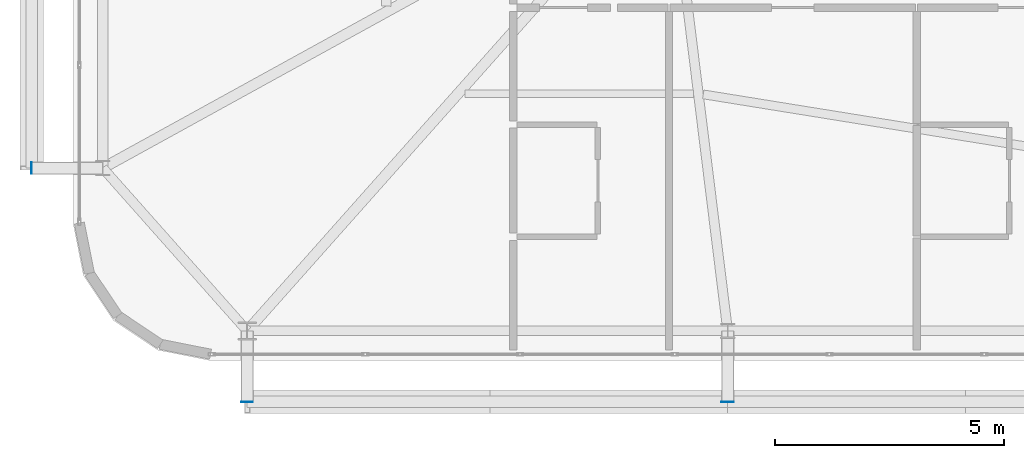
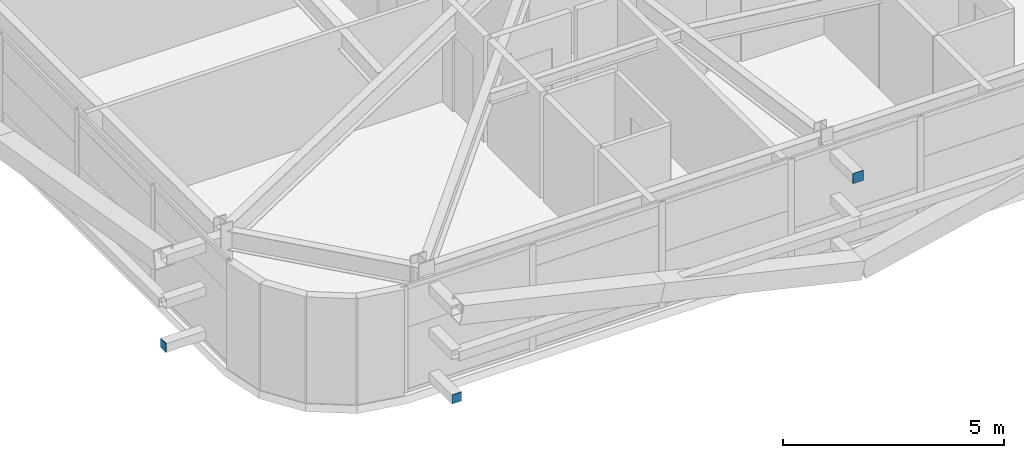
# One storey, part 44 of 58: 3 plates.
"""IFC4 building model written with IfcOpenShell, lengths in metres."""

from ifc_helpers import new_model, si_unit, direction, frame, origin, origin_2d, place, context, subcontext, project, spatial, rectangle, extrude, source, transform, mapped, material, layer, layer_set, type_object, element, save


model = new_model("IFC4")

# Units and contexts
model_context = context("Model", 3, precision=1e-05, world=origin(), true_north=direction((0.0, 1.0)))
body_context = subcontext(model_context, "Body", "Model", "MODEL_VIEW")
ifc_project = project(units=[si_unit("LENGTHUNIT", "METRE"), si_unit("AREAUNIT", "SQUARE_METRE"), si_unit("VOLUMEUNIT", "CUBIC_METRE"), si_unit("PLANEANGLEUNIT", "RADIAN"), si_unit("MASSUNIT", "GRAM", prefix="KILO")], contexts=[model_context])

# Site, building, storey
site_placement = place(None, origin())
site = spatial("IfcSite", under=ifc_project, at=site_placement, CompositionType="ELEMENT")
building_placement = place(site_placement, origin())
building = spatial("IfcBuilding", under=site, at=building_placement, Name="Taldren Reach Tower", CompositionType="ELEMENT")
storey_placement = place(building_placement, frame((0.0, 0.0, 32.550048828125)))
storey = spatial("IfcBuildingStorey", under=building, at=storey_placement, Name="L09", CompositionType="ELEMENT", Elevation=32.550048828125)

# Plates
ifc_material_1 = material(Name="Steel Gr 450 (C450L0)", Category="steel")
ifc_layer_1 = layer(ifc_material_1, 0.011962890625)
ifc_layer_set_1 = layer_set([ifc_layer_1], Name="Steel Gr 450 (C450L0)")
plate_type_1 = type_object("IfcPlateType", Name="PL-CAP-275", PredefinedType="SHEET", material=ifc_layer_set_1)
shared_shape_1 = source(origin(), body_context, "Body", "SweptSolid", [
    extrude(rectangle(XDim=0.27490234375, YDim=0.011962890625, at=origin_2d()), origin(), (0.0, 0.0, 1.0), 0.27490234375),
])
plate_1_placement = place(storey_placement, frame((19.280029296875, 0.593994140625, 2.512451171875), z_axis=(0.0, 0.0, 1.0), x_axis=(1.0, 0.0, 0.0)))
element("IfcPlate", 1, at=plate_1_placement, inside=storey, type_object=plate_type_1, Name="Tie strut end cap plate B1-S2 L09", PredefinedType="SHEET", context=body_context, shape_type="MappedRepresentation", body=[
    mapped(shared_shape_1, transform((0.0, 0.0, 0.0), scale=1.0)),
])
ifc_material_2 = material(Name="Steel Gr 350 (C350L0)", Category="steel")
ifc_layer_2 = layer(ifc_material_2, 0.011962890625)
ifc_layer_set_2 = layer_set([ifc_layer_2], Name="Steel Gr 350 (C350L0)")
plate_type_2 = type_object("IfcPlateType", Name="PL-CAP-250", PredefinedType="SHEET", material=ifc_layer_set_2)
shared_shape_2 = source(origin(), body_context, "Body", "SweptSolid", [
    extrude(rectangle(XDim=0.25, YDim=0.011962890625, at=origin_2d()), origin(), (0.0, 0.0, 1.0), 0.25),
])
plate_2_placement = place(storey_placement, frame((8.800048828125, 0.593994140625, 0.094970703125), z_axis=(0.0, 0.0, 1.0), x_axis=(1.0, 0.0, 0.0)))
element("IfcPlate", 2, at=plate_2_placement, inside=storey, type_object=plate_type_2, Name="Tie strut end cap plate B1-S1 L09", PredefinedType="SHEET", context=body_context, shape_type="MappedRepresentation", body=[
    mapped(shared_shape_2, transform((0.0, 0.0, 0.0), scale=1.0)),
])
shared_shape_3 = source(origin(), body_context, "Body", "SweptSolid", [
    extrude(rectangle(XDim=0.011962890625, YDim=0.25, at=origin_2d()), origin(), (0.0, 0.0, 1.0), 0.25),
])
plate_3_placement = place(storey_placement, frame((4.093994140625, 5.699951171875, 0.094970703125), z_axis=(0.0, 0.0, 1.0), x_axis=(1.0, 0.0, 0.0)))
element("IfcPlate", 3, at=plate_3_placement, inside=storey, type_object=plate_type_2, Name="Tie strut end cap plate B1-W1 L09", PredefinedType="SHEET", context=body_context, shape_type="MappedRepresentation", body=[
    mapped(shared_shape_3, transform((0.0, 0.0, 0.0), scale=1.0)),
])

save(model, "model.ifc")
